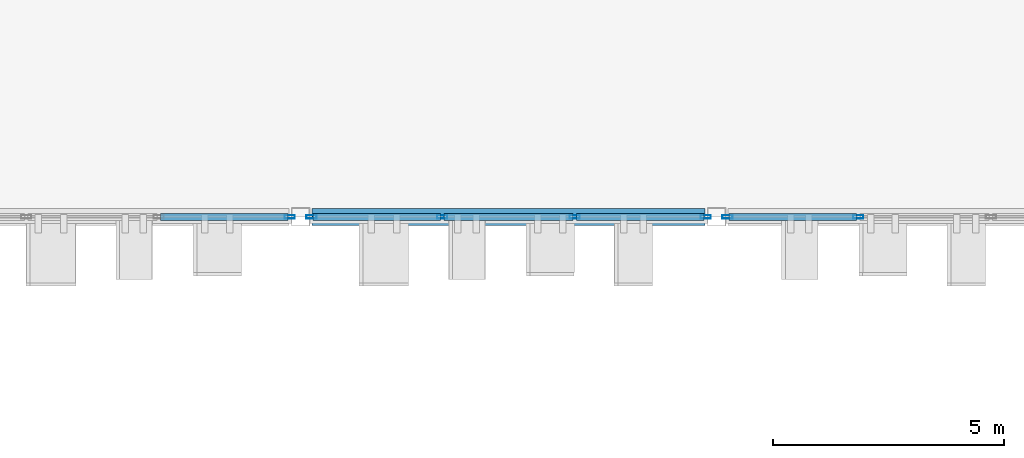
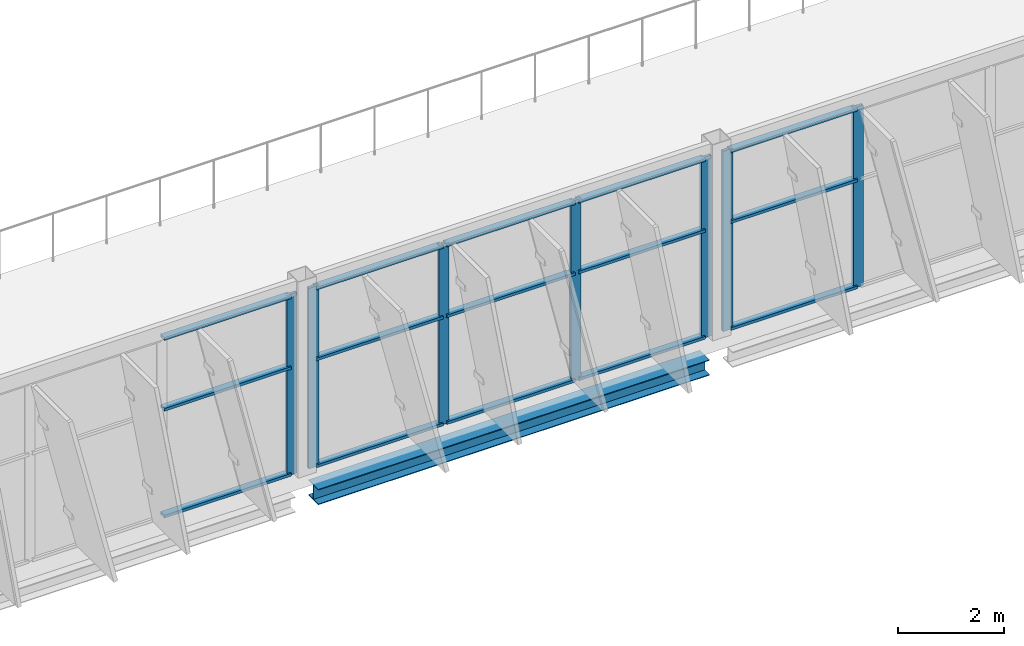
# One storey, part 61 of 151: 22 members, 1 beam, 3 elements without a shape of their own.
"""IFC4 building model written with IfcOpenShell, lengths in metres."""

from ifc_helpers import new_model, si_unit, direction, frame, origin, origin_2d, place, context, subcontext, project, spatial, hollow_rectangle, i_section, extrude, material, layer, layer_set, material_profile, profile_set, type_object, element, aggregate, save


model = new_model("IFC4")

# Units and contexts
model_context = context("Model", 3, precision=1e-05, world=origin(), true_north=direction((0.0, 1.0)))
body_context = subcontext(model_context, "Body", "Model", "MODEL_VIEW")
ifc_project = project(units=[si_unit("LENGTHUNIT", "METRE"), si_unit("AREAUNIT", "SQUARE_METRE"), si_unit("VOLUMEUNIT", "CUBIC_METRE"), si_unit("PLANEANGLEUNIT", "RADIAN"), si_unit("MASSUNIT", "GRAM", prefix="KILO")], contexts=[model_context])

# Site, building, storey
site_placement = place(None, origin())
site = spatial("IfcSite", under=ifc_project, at=site_placement, CompositionType="ELEMENT")
building_placement = place(site_placement, origin())
building = spatial("IfcBuilding", under=site, at=building_placement, Name="Celestram Park Convention Centre", CompositionType="ELEMENT")
storey_placement = place(building_placement, frame((0.0, 0.0, 10.800048828125)))
storey = spatial("IfcBuildingStorey", under=building, at=storey_placement, Name="L02", CompositionType="ELEMENT", Elevation=10.800048828125)

# Curtain wall, members
ifc_material_1 = material(Name="Anodised Aluminium Alloy 6063-T6", Category="aluminium")
ifc_layer = layer(ifc_material_1, 0.179931640625)
ifc_layer_set = layer_set([ifc_layer], Name="Anodised Aluminium Alloy 6063-T6")
curtain_wall_type = type_object("IfcCurtainWallType", Name="ARC-CW-860X414", PredefinedType="NOTDEFINED", material=ifc_layer_set)
curtain_wall_1_placement = place(storey_placement, origin())
curtain_wall_1 = element("IfcCurtainWall", 1, at=curtain_wall_1_placement, inside=storey, type_object=curtain_wall_type, Name="Unitised curtain wall CU-L02-176", PredefinedType="NOTDEFINED")
ifc_material_profile_1 = material_profile(ifc_material_1, hollow_rectangle(XDim=0.074951171875, YDim=0.219970703125, WallThickness=0.00390625, at=origin_2d()), Name="ALU75X220X4")
ifc_profile_set_1 = profile_set([ifc_material_profile_1], Name="Anodised Aluminium Alloy 6063-T6")
member_type_1 = type_object("IfcMemberType", Name="ARC-CWM-180", PredefinedType="MULLION", material=ifc_profile_set_1)
member_1_placement = place(storey_placement, frame((174.06591796875, 115.199951171875, 0.0), z_axis=(0.0, 0.0, 1.0), x_axis=(0.0, -1.0, 0.0)))
member_1 = element("IfcMember", 2, at=member_1_placement, type_object=member_type_1, Name="CW-86X41 mullion 3", PredefinedType="MULLION", context=body_context, shape_type="SweptSolid", body=[
    extrude(hollow_rectangle(XDim=0.074951171875, YDim=0.219970703125, WallThickness=0.00390625, at=origin_2d()), origin(), (0.0, 0.0, 1.0), 4.14404296875),
])
member_2_placement = place(storey_placement, frame((171.235595703125, 115.199951171875, 0.0), z_axis=(0.0, 0.0, 1.0), x_axis=(0.0, -1.0, 0.0)))
member_2 = element("IfcMember", 3, at=member_2_placement, type_object=member_type_1, Name="CW-86X41 mullion 4", PredefinedType="MULLION", context=body_context, shape_type="SweptSolid", body=[
    extrude(hollow_rectangle(XDim=0.074951171875, YDim=0.219970703125, WallThickness=0.00390625, at=origin_2d()), origin(), (0.0, 0.0, 1.0), 4.14404296875),
])

curtain_wall_2_placement = place(storey_placement, origin())
curtain_wall_2 = element("IfcCurtainWall", 4, at=curtain_wall_2_placement, inside=storey, type_object=curtain_wall_type, Name="Unitised curtain wall CU-L02-177", PredefinedType="NOTDEFINED")
member_3_placement = place(storey_placement, frame((170.764404296875, 115.199951171875, 0.0), z_axis=(0.0, 0.0, 1.0), x_axis=(0.0, -1.0, 0.0)))
member_3 = element("IfcMember", 5, at=member_3_placement, type_object=member_type_1, Name="CW-86X41 mullion 1", PredefinedType="MULLION", context=body_context, shape_type="SweptSolid", body=[
    extrude(hollow_rectangle(XDim=0.074951171875, YDim=0.219970703125, WallThickness=0.00390625, at=origin_2d()), origin(), (0.0, 0.0, 1.0), 4.14404296875),
])
member_4_placement = place(storey_placement, frame((167.93408203125, 115.199951171875, 0.0), z_axis=(0.0, 0.0, 1.0), x_axis=(0.0, -1.0, 0.0)))
member_4 = element("IfcMember", 6, at=member_4_placement, type_object=member_type_1, Name="CW-86X41 mullion 2", PredefinedType="MULLION", context=body_context, shape_type="SweptSolid", body=[
    extrude(hollow_rectangle(XDim=0.074951171875, YDim=0.219970703125, WallThickness=0.00390625, at=origin_2d()), origin(), (0.0, 0.0, 1.0), 4.14404296875),
])
member_5_placement = place(storey_placement, frame((165.06591796875, 115.199951171875, 0.0), z_axis=(0.0, 0.0, 1.0), x_axis=(0.0, -1.0, 0.0)))
member_5 = element("IfcMember", 7, at=member_5_placement, type_object=member_type_1, Name="CW-86X41 mullion 3", PredefinedType="MULLION", context=body_context, shape_type="SweptSolid", body=[
    extrude(hollow_rectangle(XDim=0.074951171875, YDim=0.219970703125, WallThickness=0.00390625, at=origin_2d()), origin(), (0.0, 0.0, 1.0), 4.14404296875),
])
member_6_placement = place(storey_placement, frame((162.235595703125, 115.199951171875, 0.0), z_axis=(0.0, 0.0, 1.0), x_axis=(0.0, -1.0, 0.0)))
member_6 = element("IfcMember", 8, at=member_6_placement, type_object=member_type_1, Name="CW-86X41 mullion 4", PredefinedType="MULLION", context=body_context, shape_type="SweptSolid", body=[
    extrude(hollow_rectangle(XDim=0.074951171875, YDim=0.219970703125, WallThickness=0.00390625, at=origin_2d()), origin(), (0.0, 0.0, 1.0), 4.14404296875),
])

# Curtain wall, member
curtain_wall_3_placement = place(storey_placement, origin())
curtain_wall_3 = element("IfcCurtainWall", 9, at=curtain_wall_3_placement, inside=storey, type_object=curtain_wall_type, Name="Unitised curtain wall CU-L02-178", PredefinedType="NOTDEFINED")
member_7_placement = place(storey_placement, frame((161.764404296875, 115.199951171875, 0.0), z_axis=(0.0, 0.0, 1.0), x_axis=(0.0, -1.0, 0.0)))
member_7 = element("IfcMember", 10, at=member_7_placement, type_object=member_type_1, Name="CW-86X41 mullion 1", PredefinedType="MULLION", context=body_context, shape_type="SweptSolid", body=[
    extrude(hollow_rectangle(XDim=0.074951171875, YDim=0.219970703125, WallThickness=0.00390625, at=origin_2d()), origin(), (0.0, 0.0, 1.0), 4.14404296875),
])

# Member
ifc_material_profile_2 = material_profile(ifc_material_1, hollow_rectangle(XDim=0.14990234375, YDim=0.06494140625, WallThickness=0.0029296875, at=origin_2d()), Name="ALU150X65X3")
ifc_profile_set_2 = profile_set([ifc_material_profile_2], Name="Anodised Aluminium Alloy 6063-T6")
member_type_2 = type_object("IfcMemberType", Name="ARC-CWT-150", PredefinedType="USERDEFINED", material=ifc_profile_set_2)
member_8_placement = place(storey_placement, frame((174.028564453125, 115.199951171875, 0.032470703125), z_axis=(-1.0, 0.0, 0.0), x_axis=(0.0, -1.0, 0.0)))
member_8 = element("IfcMember", 11, at=member_8_placement, type_object=member_type_2, Name="CW-86X41 transom 3.1", ObjectType="TRANSOM", PredefinedType="USERDEFINED", context=body_context, shape_type="SweptSolid", body=[
    extrude(hollow_rectangle(XDim=0.14990234375, YDim=0.06494140625, WallThickness=0.0029296875, at=origin_2d()), origin(), (0.0, 0.0, 1.0), 2.755615234375),
])

member_9_placement = place(storey_placement, frame((174.028564453125, 115.199951171875, 2.48583984375), z_axis=(-1.0, 0.0, 0.0), x_axis=(0.0, -1.0, 0.0)))
member_9 = element("IfcMember", 12, at=member_9_placement, type_object=member_type_2, Name="CW-86X41 transom 3.2", ObjectType="TRANSOM", PredefinedType="USERDEFINED", context=body_context, shape_type="SweptSolid", body=[
    extrude(hollow_rectangle(XDim=0.14990234375, YDim=0.06494140625, WallThickness=0.0029296875, at=origin_2d()), origin(), (0.0, 0.0, 1.0), 2.755615234375),
])

member_10_placement = place(storey_placement, frame((174.028564453125, 115.199951171875, 4.111572265625), z_axis=(-1.0, 0.0, 0.0), x_axis=(0.0, -1.0, 0.0)))
member_10 = element("IfcMember", 13, at=member_10_placement, type_object=member_type_2, Name="CW-86X41 transom 3.3", ObjectType="TRANSOM", PredefinedType="USERDEFINED", context=body_context, shape_type="SweptSolid", body=[
    extrude(hollow_rectangle(XDim=0.14990234375, YDim=0.06494140625, WallThickness=0.0029296875, at=origin_2d()), origin(), (0.0, 0.0, 1.0), 2.755615234375),
])

aggregate(curtain_wall_1, [member_1, member_2, member_8, member_9, member_10])

member_11_placement = place(storey_placement, frame((170.72705078125, 115.199951171875, 0.032470703125), z_axis=(-1.0, 0.0, 0.0), x_axis=(0.0, -1.0, 0.0)))
member_11 = element("IfcMember", 14, at=member_11_placement, type_object=member_type_2, Name="CW-86X41 transom 1.1", ObjectType="TRANSOM", PredefinedType="USERDEFINED", context=body_context, shape_type="SweptSolid", body=[
    extrude(hollow_rectangle(XDim=0.14990234375, YDim=0.06494140625, WallThickness=0.0029296875, at=origin_2d()), origin(), (0.0, 0.0, 1.0), 2.755615234375),
])

member_12_placement = place(storey_placement, frame((170.72705078125, 115.199951171875, 2.48583984375), z_axis=(-1.0, 0.0, 0.0), x_axis=(0.0, -1.0, 0.0)))
member_12 = element("IfcMember", 15, at=member_12_placement, type_object=member_type_2, Name="CW-86X41 transom 1.2", ObjectType="TRANSOM", PredefinedType="USERDEFINED", context=body_context, shape_type="SweptSolid", body=[
    extrude(hollow_rectangle(XDim=0.14990234375, YDim=0.06494140625, WallThickness=0.0029296875, at=origin_2d()), origin(), (0.0, 0.0, 1.0), 2.755615234375),
])

member_13_placement = place(storey_placement, frame((170.72705078125, 115.199951171875, 4.111572265625), z_axis=(-1.0, 0.0, 0.0), x_axis=(0.0, -1.0, 0.0)))
member_13 = element("IfcMember", 16, at=member_13_placement, type_object=member_type_2, Name="CW-86X41 transom 1.3", ObjectType="TRANSOM", PredefinedType="USERDEFINED", context=body_context, shape_type="SweptSolid", body=[
    extrude(hollow_rectangle(XDim=0.14990234375, YDim=0.06494140625, WallThickness=0.0029296875, at=origin_2d()), origin(), (0.0, 0.0, 1.0), 2.755615234375),
])

member_14_placement = place(storey_placement, frame((167.896484375, 115.199951171875, 0.032470703125), z_axis=(-1.0, 0.0, 0.0), x_axis=(0.0, -1.0, 0.0)))
member_14 = element("IfcMember", 17, at=member_14_placement, type_object=member_type_2, Name="CW-86X41 transom 2.1", ObjectType="TRANSOM", PredefinedType="USERDEFINED", context=body_context, shape_type="SweptSolid", body=[
    extrude(hollow_rectangle(XDim=0.14990234375, YDim=0.06494140625, WallThickness=0.0029296875, at=origin_2d()), origin(), (0.0, 0.0, 1.0), 2.79296875),
])

member_15_placement = place(storey_placement, frame((167.896484375, 115.199951171875, 2.48583984375), z_axis=(-1.0, 0.0, 0.0), x_axis=(0.0, -1.0, 0.0)))
member_15 = element("IfcMember", 18, at=member_15_placement, type_object=member_type_2, Name="CW-86X41 transom 2.2", ObjectType="TRANSOM", PredefinedType="USERDEFINED", context=body_context, shape_type="SweptSolid", body=[
    extrude(hollow_rectangle(XDim=0.14990234375, YDim=0.06494140625, WallThickness=0.0029296875, at=origin_2d()), origin(), (0.0, 0.0, 1.0), 2.79296875),
])

member_16_placement = place(storey_placement, frame((167.896484375, 115.199951171875, 4.111572265625), z_axis=(-1.0, 0.0, 0.0), x_axis=(0.0, -1.0, 0.0)))
member_16 = element("IfcMember", 19, at=member_16_placement, type_object=member_type_2, Name="CW-86X41 transom 2.3", ObjectType="TRANSOM", PredefinedType="USERDEFINED", context=body_context, shape_type="SweptSolid", body=[
    extrude(hollow_rectangle(XDim=0.14990234375, YDim=0.06494140625, WallThickness=0.0029296875, at=origin_2d()), origin(), (0.0, 0.0, 1.0), 2.79296875),
])

member_17_placement = place(storey_placement, frame((165.028564453125, 115.199951171875, 0.032470703125), z_axis=(-1.0, 0.0, 0.0), x_axis=(0.0, -1.0, 0.0)))
member_17 = element("IfcMember", 20, at=member_17_placement, type_object=member_type_2, Name="CW-86X41 transom 3.1", ObjectType="TRANSOM", PredefinedType="USERDEFINED", context=body_context, shape_type="SweptSolid", body=[
    extrude(hollow_rectangle(XDim=0.14990234375, YDim=0.06494140625, WallThickness=0.0029296875, at=origin_2d()), origin(), (0.0, 0.0, 1.0), 2.755615234375),
])

member_18_placement = place(storey_placement, frame((165.028564453125, 115.199951171875, 2.48583984375), z_axis=(-1.0, 0.0, 0.0), x_axis=(0.0, -1.0, 0.0)))
member_18 = element("IfcMember", 21, at=member_18_placement, type_object=member_type_2, Name="CW-86X41 transom 3.2", ObjectType="TRANSOM", PredefinedType="USERDEFINED", context=body_context, shape_type="SweptSolid", body=[
    extrude(hollow_rectangle(XDim=0.14990234375, YDim=0.06494140625, WallThickness=0.0029296875, at=origin_2d()), origin(), (0.0, 0.0, 1.0), 2.755615234375),
])

member_19_placement = place(storey_placement, frame((165.028564453125, 115.199951171875, 4.111572265625), z_axis=(-1.0, 0.0, 0.0), x_axis=(0.0, -1.0, 0.0)))
member_19 = element("IfcMember", 22, at=member_19_placement, type_object=member_type_2, Name="CW-86X41 transom 3.3", ObjectType="TRANSOM", PredefinedType="USERDEFINED", context=body_context, shape_type="SweptSolid", body=[
    extrude(hollow_rectangle(XDim=0.14990234375, YDim=0.06494140625, WallThickness=0.0029296875, at=origin_2d()), origin(), (0.0, 0.0, 1.0), 2.755615234375),
])

aggregate(curtain_wall_2, [member_3, member_4, member_5, member_6, member_11, member_12, member_13, member_14, member_15, member_16, member_17, member_18, member_19])

member_20_placement = place(storey_placement, frame((161.72705078125, 115.199951171875, 0.032470703125), z_axis=(-1.0, 0.0, 0.0), x_axis=(0.0, -1.0, 0.0)))
member_20 = element("IfcMember", 23, at=member_20_placement, type_object=member_type_2, Name="CW-86X41 transom 1.1", ObjectType="TRANSOM", PredefinedType="USERDEFINED", context=body_context, shape_type="SweptSolid", body=[
    extrude(hollow_rectangle(XDim=0.14990234375, YDim=0.06494140625, WallThickness=0.0029296875, at=origin_2d()), origin(), (0.0, 0.0, 1.0), 2.755615234375),
])

member_21_placement = place(storey_placement, frame((161.72705078125, 115.199951171875, 2.48583984375), z_axis=(-1.0, 0.0, 0.0), x_axis=(0.0, -1.0, 0.0)))
member_21 = element("IfcMember", 24, at=member_21_placement, type_object=member_type_2, Name="CW-86X41 transom 1.2", ObjectType="TRANSOM", PredefinedType="USERDEFINED", context=body_context, shape_type="SweptSolid", body=[
    extrude(hollow_rectangle(XDim=0.14990234375, YDim=0.06494140625, WallThickness=0.0029296875, at=origin_2d()), origin(), (0.0, 0.0, 1.0), 2.755615234375),
])

member_22_placement = place(storey_placement, frame((161.72705078125, 115.199951171875, 4.111572265625), z_axis=(-1.0, 0.0, 0.0), x_axis=(0.0, -1.0, 0.0)))
member_22 = element("IfcMember", 25, at=member_22_placement, type_object=member_type_2, Name="CW-86X41 transom 1.3", ObjectType="TRANSOM", PredefinedType="USERDEFINED", context=body_context, shape_type="SweptSolid", body=[
    extrude(hollow_rectangle(XDim=0.14990234375, YDim=0.06494140625, WallThickness=0.0029296875, at=origin_2d()), origin(), (0.0, 0.0, 1.0), 2.755615234375),
])

aggregate(curtain_wall_3, [member_7, member_20, member_21, member_22])

# Beam
ifc_material_2 = material(Name="Steel ASTM A992 Grade 50", Category="steel")
ifc_material_profile_3 = material_profile(ifc_material_2, i_section(OverallWidth=0.367919921875, OverallDepth=0.35595703125, WebThickness=0.01123046875, FlangeThickness=0.01806640625, at=origin_2d()), Name="W14X90")
ifc_profile_set_3 = profile_set([ifc_material_profile_3], Name="Steel ASTM A992 Grade 50")
beam_type = type_object("IfcBeamType", Name="STR-SPN-W14X90", PredefinedType="SPANDREL", material=ifc_profile_set_3)
beam_placement = place(storey_placement, frame((162.248046875, 115.199951171875, -0.59814453125), z_axis=(1.0, 0.0, 0.0), x_axis=(0.0, 1.0, 0.0)))
element("IfcBeam", 26, at=beam_placement, inside=storey, type_object=beam_type, Name="Primary X-girder BG-L02-0295", PredefinedType="SPANDREL", context=body_context, shape_type="SweptSolid", body=[
    extrude(i_section(OverallWidth=0.367919921875, OverallDepth=0.35595703125, WebThickness=0.01123046875, FlangeThickness=0.01806640625, at=origin_2d()), origin(), (0.0, 0.0, 1.0), 8.50390625),
])

save(model, "model.ifc")
